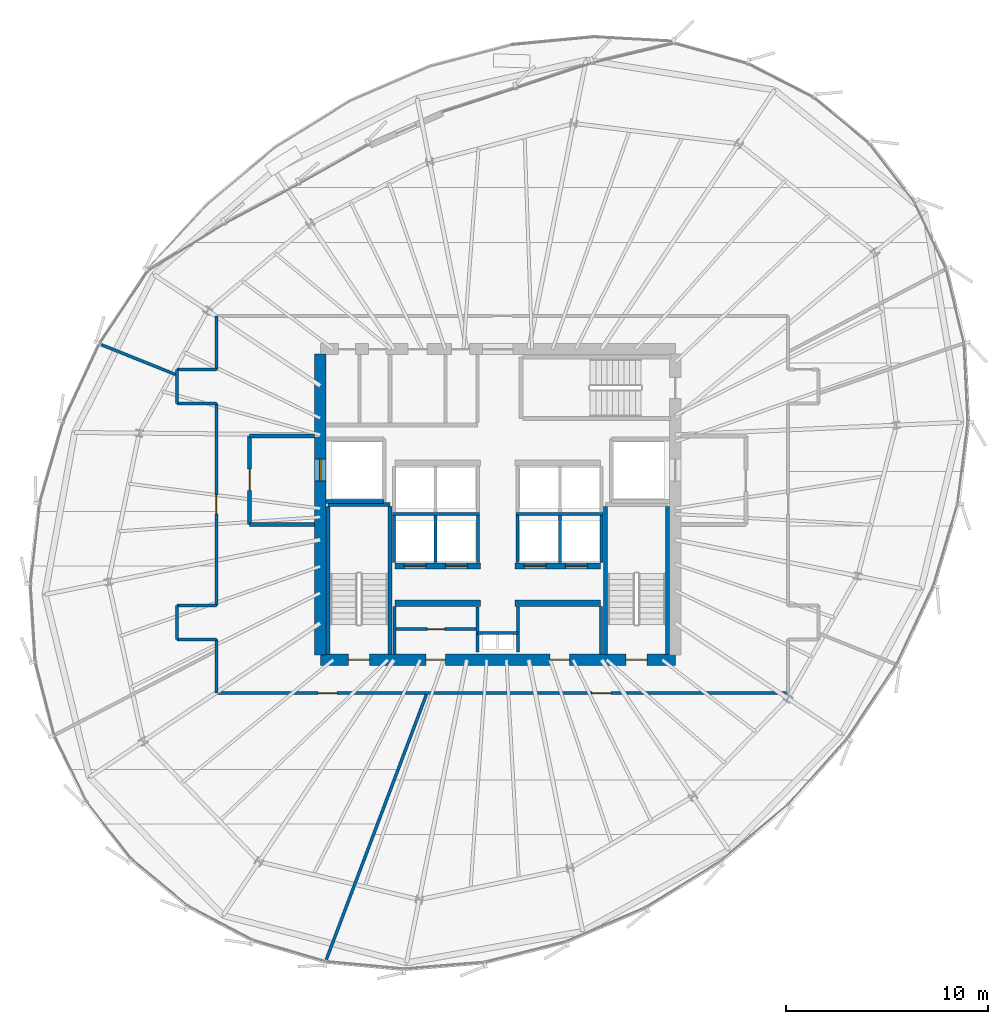
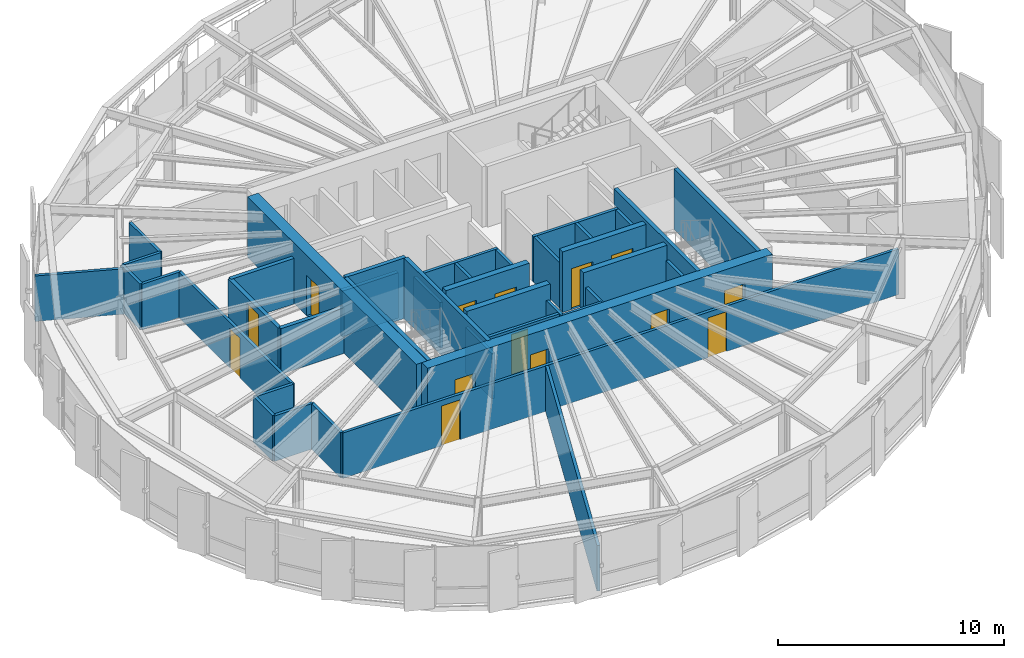
# One storey, part 28 of 33: 41 walls, 14 doors, 14 openings.
"""IFC4 building model written with IfcOpenShell, lengths in metres."""

from ifc_helpers import new_model, si_unit, direction, frame, frame_2d, origin, place, context, subcontext, project, spatial, rectangle, extrude, source, transform, mapped, material, layer, layer_set, type_object, element, fill, save


model = new_model("IFC4")

# Units and contexts
model_context = context("Model", 3, precision=1e-05, world=origin(), true_north=direction((0.0, 1.0)))
body_context = subcontext(model_context, "Body", "Model", "MODEL_VIEW")
ifc_project = project(units=[si_unit("LENGTHUNIT", "METRE"), si_unit("AREAUNIT", "SQUARE_METRE"), si_unit("VOLUMEUNIT", "CUBIC_METRE"), si_unit("PLANEANGLEUNIT", "RADIAN"), si_unit("MASSUNIT", "GRAM", prefix="KILO"), si_unit("THERMODYNAMICTEMPERATUREUNIT", "KELVIN")], contexts=[model_context])

# Site, building, storey
site_placement = place(None, origin())
site = spatial("IfcSite", under=ifc_project, at=site_placement, CompositionType="ELEMENT")
building_placement = place(site_placement, origin())
building = spatial("IfcBuilding", under=site, at=building_placement, Name="Kethvar Cultural Tower", CompositionType="ELEMENT")
storey_placement = place(building_placement, frame((0.0, 0.0, 211.39990234375)))
storey = spatial("IfcBuildingStorey", under=building, at=storey_placement, Name="L55", CompositionType="ELEMENT", Elevation=211.39990234375)

# Wall, openings, doors
ifc_material_1 = material(Name="Concrete C60/75", Category="concrete")
ifc_layer_1 = layer(ifc_material_1, 0.550048828125, Name="Concrete C60/75", Category="concrete")
ifc_layer_set_1 = layer_set([ifc_layer_1], Name="Concrete C60/75 (550 mm)")
wall_type_1 = type_object("IfcWallType", Name="WL-CORE-550", PredefinedType="SHEAR", material=ifc_layer_set_1)
wall_1_placement = place(storey_placement, frame((38.0, 20.10009765625, 0.0), z_axis=(0.0, 0.0, 1.0), x_axis=(1.0, 0.0, 0.0)))
wall_1 = element("IfcWall", 1, at=wall_1_placement, inside=storey, type_object=wall_type_1, Name="L55 Core Shear Wall S", PredefinedType="SHEAR", context=body_context, shape_type="SweptSolid", body=[
    extrude(rectangle(XDim=17.60009765625, YDim=0.550048828125, at=frame_2d((8.800048828125, 0.0))), origin(), (0.0, 0.0, 1.0), 3.260009765625),
])
opening_1_placement = place(wall_1_placement, frame((1.39990234375, 0.0, 0.0)))
opening_1 = element("IfcOpeningElement", 2, at=opening_1_placement, cuts=wall_1, Name="Opening D-L55-S1", PredefinedType="OPENING", context=body_context, shape_type="SweptSolid", body=[
    extrude(rectangle(XDim=1.050048828125, YDim=2.14990234375, at=frame_2d((0.52490234375, 1.074951171875))), frame((0.0, 0.284912109375, 0.0), z_axis=(0.0, -1.0, 0.0), x_axis=(1.0, 0.0, 0.0)), (0.0, 0.0, 1.0), 0.570068359375),
])
opening_2_placement = place(wall_1_placement, frame((15.14990234375, 0.0, 0.0)))
opening_2 = element("IfcOpeningElement", 3, at=opening_2_placement, cuts=wall_1, Name="Opening D-L55-ST2", PredefinedType="OPENING", context=body_context, shape_type="SweptSolid", body=[
    extrude(rectangle(XDim=1.050048828125, YDim=2.14990234375, at=frame_2d((0.52490234375, 1.074951171875))), frame((0.0, 0.284912109375, 0.0), z_axis=(0.0, -1.0, 0.0), x_axis=(1.0, 0.0, 0.0)), (0.0, 0.0, 1.0), 0.570068359375),
])
opening_3_placement = place(wall_1_placement, frame((5.25, 0.0, 0.0)))
opening_3 = element("IfcOpeningElement", 4, at=opening_3_placement, cuts=wall_1, Name="Opening D-L55-V1", PredefinedType="OPENING", context=body_context, shape_type="SweptSolid", body=[
    extrude(rectangle(XDim=0.949951171875, YDim=2.14990234375, at=frame_2d((0.47509765625, 1.074951171875))), frame((0.0, 0.284912109375, 0.0), z_axis=(0.0, -1.0, 0.0), x_axis=(1.0, 0.0, 0.0)), (0.0, 0.0, 1.0), 0.570068359375),
])
opening_4_placement = place(wall_1_placement, frame((11.39990234375, 0.0, 0.0)))
opening_4 = element("IfcOpeningElement", 5, at=opening_4_placement, cuts=wall_1, Name="Opening D-L55-V2", PredefinedType="OPENING", context=body_context, shape_type="SweptSolid", body=[
    extrude(rectangle(XDim=0.949951171875, YDim=2.14990234375, at=frame_2d((0.47509765625, 1.074951171875))), frame((0.0, 0.284912109375, 0.0), z_axis=(0.0, -1.0, 0.0), x_axis=(1.0, 0.0, 0.0)), (0.0, 0.0, 1.0), 0.570068359375),
])
ifc_material_2 = material(Name="Steel S355J2", Category="steel")
door_type_1 = type_object("IfcDoorType", Name="DR-FD60-1050", OperationType="NOTDEFINED", PredefinedType="DOOR", material=ifc_material_2)
shared_shape_1 = source(origin(), body_context, "Body", "SweptSolid", [
    extrude(rectangle(XDim=1.050048828125, YDim=2.14990234375, at=frame_2d((0.52490234375, 1.074951171875))), frame((0.0, 0.02490234375, 0.0), z_axis=(0.0, -1.0, 0.0), x_axis=(1.0, 0.0, 0.0)), (0.0, 0.0, 1.0), 0.050048828125),
])
door_1_placement = place(opening_1_placement, origin())
door_1 = element("IfcDoor", 6, at=door_1_placement, inside=storey, type_object=door_type_1, Name="L55 Exit Stair 1 Door", OperationType="SINGLE_SWING_LEFT", OverallHeight=2.14990234375, OverallWidth=1.050048828125, PredefinedType="DOOR", context=body_context, shape_type="MappedRepresentation", body=[
    mapped(shared_shape_1, transform((0.0, 0.0, 0.0), scale=1.0)),
])
fill(opening_1, door_1)
door_2_placement = place(opening_2_placement, origin())
door_2 = element("IfcDoor", 7, at=door_2_placement, inside=storey, type_object=door_type_1, Name="L55 Exit Stair 2 Door", OperationType="SINGLE_SWING_RIGHT", OverallHeight=2.14990234375, OverallWidth=1.050048828125, PredefinedType="DOOR", context=body_context, shape_type="MappedRepresentation", body=[
    mapped(shared_shape_1, transform((0.0, 0.0, 0.0), scale=1.0)),
])
fill(opening_2, door_2)
ifc_material_3 = material(Name="Architectural Oak Timber", Category="wood")
door_type_2 = type_object("IfcDoorType", Name="DR-FD30-950", OperationType="NOTDEFINED", PredefinedType="DOOR", material=ifc_material_3)
shared_shape_2 = source(origin(), body_context, "Body", "SweptSolid", [
    extrude(rectangle(XDim=0.949951171875, YDim=2.14990234375, at=frame_2d((0.47509765625, 1.074951171875))), frame((0.0, 0.02490234375, 0.0), z_axis=(0.0, -1.0, 0.0), x_axis=(1.0, 0.0, 0.0)), (0.0, 0.0, 1.0), 0.050048828125),
])
door_3_placement = place(opening_3_placement, origin())
door_3 = element("IfcDoor", 8, at=door_3_placement, inside=storey, type_object=door_type_2, Name="L55 Reclaimed West South Door", OperationType="SINGLE_SWING_LEFT", OverallHeight=2.14990234375, OverallWidth=0.949951171875, PredefinedType="DOOR", context=body_context, shape_type="MappedRepresentation", body=[
    mapped(shared_shape_2, transform((0.0, 0.0, 0.0), scale=1.0)),
])
fill(opening_3, door_3)
door_4_placement = place(opening_4_placement, origin())
door_4 = element("IfcDoor", 9, at=door_4_placement, inside=storey, type_object=door_type_2, Name="L55 Reclaimed East Server Door", OperationType="SINGLE_SWING_RIGHT", OverallHeight=2.14990234375, OverallWidth=0.949951171875, PredefinedType="DOOR", context=body_context, shape_type="MappedRepresentation", body=[
    mapped(shared_shape_2, transform((0.0, 0.0, 0.0), scale=1.0)),
])
fill(opening_4, door_4)

# Wall, opening, door
wall_2_placement = place(storey_placement, frame((38.0, 35.260009765625, 0.0), z_axis=(0.0, 0.0, 1.0), x_axis=(0.0, -1.0, 0.0)))
wall_2 = element("IfcWall", 10, at=wall_2_placement, inside=storey, type_object=wall_type_1, Name="L55 Core Shear Wall W", PredefinedType="SHEAR", context=body_context, shape_type="SweptSolid", body=[
    extrude(rectangle(XDim=14.919921875, YDim=0.550048828125, at=frame_2d((7.4599609375, 0.0))), origin(), (0.0, 0.0, 1.0), 3.260009765625),
])
opening_5_placement = place(wall_2_placement, frame((5.2099609375, 0.0, 0.0)))
opening_5 = element("IfcOpeningElement", 11, at=opening_5_placement, cuts=wall_2, Name="Opening LD-1", PredefinedType="OPENING", context=body_context, shape_type="SweptSolid", body=[
    extrude(rectangle(XDim=1.10009765625, YDim=2.199951171875, at=frame_2d((0.550048828125, 1.10009765625))), frame((0.0, 0.284912109375, 0.0), z_axis=(0.0, -1.0, 0.0), x_axis=(1.0, 0.0, 0.0)), (0.0, 0.0, 1.0), 0.570068359375),
])
door_type_3 = type_object("IfcDoorType", Name="DR-LIFT-SLIDE-1100", OperationType="NOTDEFINED", PredefinedType="DOOR", material=ifc_material_2)
shared_shape_3 = source(origin(), body_context, "Body", "SweptSolid", [
    extrude(rectangle(XDim=1.10009765625, YDim=2.199951171875, at=frame_2d((0.550048828125, 1.10009765625))), frame((0.0, 0.02490234375, 0.0), z_axis=(0.0, -1.0, 0.0), x_axis=(1.0, 0.0, 0.0)), (0.0, 0.0, 1.0), 0.050048828125),
])
door_5_placement = place(opening_5_placement, origin())
door_5 = element("IfcDoor", 12, at=door_5_placement, inside=storey, type_object=door_type_3, Name="L55 Firefighting Lift Landing Door FFL-01", OperationType="SLIDING_TO_LEFT", OverallHeight=2.199951171875, OverallWidth=1.10009765625, PredefinedType="DOOR", context=body_context, shape_type="MappedRepresentation", body=[
    mapped(shared_shape_3, transform((0.0, 0.0, 0.0), scale=1.0)),
])
fill(opening_5, door_5)

# Walls
ifc_material_4 = material(Name="Gypsum Fireboard Partition")
ifc_layer_2 = layer(ifc_material_4, 0.14990234375, Name="Gypsum Fireboard Partition")
ifc_layer_set_2 = layer_set([ifc_layer_2], Name="Gypsum Fireboard Partition (150 mm)")
wall_type_2 = type_object("IfcWallType", Name="WL-FIRE-150", PredefinedType="PARTITIONING", material=ifc_layer_set_2)
wall_3_placement = place(storey_placement, frame((45.800048828125, 21.419921875, 0.0), z_axis=(0.0, 0.0, 1.0), x_axis=(1.0, 0.0, 0.0)))
element("IfcWall", 13, at=wall_3_placement, inside=storey, type_object=wall_type_2, Name="L55 Core Riser Wall", PredefinedType="PARTITIONING", context=body_context, shape_type="SweptSolid", body=[
    extrude(rectangle(XDim=2.0, YDim=0.14990234375, at=frame_2d((1.0, 0.0))), origin(), (0.0, 0.0, 1.0), 2.455078125),
])
for number, where, z_axis, x_axis, name in (
    (14, (45.800048828125, 20.47998046875, 0.0), (0.0, 0.0, 1.0), (0.0, 1.0, 0.0), "L55 Core Riser West Wall"),
    (15, (47.800048828125, 20.47998046875, 0.0), (0.0, 0.0, 1.0), (0.0, 1.0, 0.0), "L55 Core Riser East Wall"),
):
    element("IfcWall", number, at=place(storey_placement, frame(where, z_axis=z_axis, x_axis=x_axis)), inside=storey, type_object=wall_type_2, Name=name, PredefinedType="PARTITIONING", context=body_context, shape_type="SweptSolid", body=[
        extrude(rectangle(XDim=2.239990234375, YDim=0.14990234375, at=frame_2d((1.1201171875, 0.0))), origin(), (0.0, 0.0, 1.0), 2.455078125),
    ])
for number, where, z_axis, x_axis, name in (
    (16, (41.679931640625, 20.385009765625, 0.0), (0.0, 0.0, 1.0), (0.0, 1.0, 0.0), "L55 Reclaimed West Outer Wall"),
    (17, (51.919921875, 20.385009765625, 0.0), (0.0, 0.0, 1.0), (0.0, 1.0, 0.0), "L55 Reclaimed East Outer Wall"),
):
    element("IfcWall", number, at=place(storey_placement, frame(where, z_axis=z_axis, x_axis=x_axis)), inside=storey, type_object=wall_type_2, Name=name, PredefinedType="PARTITIONING", context=body_context, shape_type="SweptSolid", body=[
        extrude(rectangle(XDim=2.344970703125, YDim=0.14990234375, at=frame_2d((1.17236328125, 0.0))), origin(), (0.0, 0.0, 1.0), 2.455078125),
    ])

# Wall, opening, door
wall_4_placement = place(storey_placement, frame((41.760009765625, 21.6201171875, 0.0), z_axis=(0.0, 0.0, 1.0), x_axis=(1.0, 0.0, 0.0)))
wall_4 = element("IfcWall", 18, at=wall_4_placement, inside=storey, type_object=wall_type_2, Name="L55 Vault Gallery Wall W", PredefinedType="PARTITIONING", context=body_context, shape_type="SweptSolid", body=[
    extrude(rectangle(XDim=3.9599609375, YDim=0.14990234375, at=frame_2d((1.97998046875, 0.0))), origin(), (0.0, 0.0, 1.0), 2.455078125),
])
opening_6_placement = place(wall_4_placement, frame((1.550048828125, 0.0, 0.0)))
opening_6 = element("IfcOpeningElement", 19, at=opening_6_placement, cuts=wall_4, Name="Opening D-L55-V3", PredefinedType="OPENING", context=body_context, shape_type="SweptSolid", body=[
    extrude(rectangle(XDim=0.85009765625, YDim=2.14990234375, at=frame_2d((0.425048828125, 1.074951171875))), frame((0.0, 0.0849609375, 0.0), z_axis=(0.0, -1.0, 0.0), x_axis=(1.0, 0.0, 0.0)), (0.0, 0.0, 1.0), 0.169921875),
])
door_type_4 = type_object("IfcDoorType", Name="DR-FD30-850", OperationType="NOTDEFINED", PredefinedType="DOOR", material=ifc_material_2)
shared_shape_4 = source(origin(), body_context, "Body", "SweptSolid", [
    extrude(rectangle(XDim=0.85009765625, YDim=2.14990234375, at=frame_2d((0.425048828125, 1.074951171875))), frame((0.0, 0.02490234375, 0.0), z_axis=(0.0, -1.0, 0.0), x_axis=(1.0, 0.0, 0.0)), (0.0, 0.0, 1.0), 0.050048828125),
])
door_6_placement = place(opening_6_placement, origin())
door_6 = element("IfcDoor", 20, at=door_6_placement, inside=storey, type_object=door_type_4, Name="L55 Inner Vault Gallery Door", OperationType="SINGLE_SWING_LEFT", OverallHeight=2.14990234375, OverallWidth=0.85009765625, PredefinedType="DOOR", context=body_context, shape_type="MappedRepresentation", body=[
    mapped(shared_shape_4, transform((0.0, 0.0, 0.0), scale=1.0)),
])
fill(opening_6, door_6)

# Walls
wall_5_placement = place(storey_placement, frame((41.580078125, 27.324951171875, 0.0), z_axis=(0.0, 0.0, 1.0), x_axis=(1.0, 0.0, 0.0)))
element("IfcWall", 21, at=wall_5_placement, inside=storey, type_object=wall_type_2, Name="L55 Mid-High Lift Shaft Back Wall W", PredefinedType="PARTITIONING", context=body_context, shape_type="SweptSolid", body=[
    extrude(rectangle(XDim=4.31982421875, YDim=0.14990234375, at=frame_2d((2.159912109375, 0.0))), origin(), (0.0, 0.0, 1.0), 2.455078125),
])
wall_6_placement = place(storey_placement, frame((47.699951171875, 27.324951171875, 0.0), z_axis=(0.0, 0.0, 1.0), x_axis=(1.0, 0.0, 0.0)))
element("IfcWall", 22, at=wall_6_placement, inside=storey, type_object=wall_type_2, Name="L55 Mid-High Lift Shaft Back Wall E", PredefinedType="PARTITIONING", context=body_context, shape_type="SweptSolid", body=[
    extrude(rectangle(XDim=4.320068359375, YDim=0.14990234375, at=frame_2d((2.16015625, 0.0))), origin(), (0.0, 0.0, 1.0), 2.455078125),
])
for number, where, z_axis, x_axis, name in (
    (23, (41.64990234375, 24.919921875, 0.0), (0.0, 0.0, 1.0), (0.0, 1.0, 0.0), "L55 Mid-Rise Lift Shaft Outer Wall W"),
    (24, (43.72509765625, 24.919921875, 0.0), (0.0, 0.0, 1.0), (0.0, 1.0, 0.0), "L55 Mid-Rise Lift Shaft Divider W"),
    (25, (45.824951171875, 24.919921875, 0.0), (0.0, 0.0, 1.0), (0.0, 1.0, 0.0), "L55 Mid-Rise Lift Shaft Concourse Wall W"),
    (26, (47.77490234375, 24.919921875, 0.0), (0.0, 0.0, 1.0), (0.0, 1.0, 0.0), "L55 Mid-Rise Lift Shaft Concourse Wall E"),
    (27, (49.875, 24.919921875, 0.0), (0.0, 0.0, 1.0), (0.0, 1.0, 0.0), "L55 Mid-Rise Lift Shaft Divider E"),
    (28, (51.949951171875, 24.919921875, 0.0), (0.0, 0.0, 1.0), (0.0, 1.0, 0.0), "L55 Mid-Rise Lift Shaft Outer Wall E"),
):
    element("IfcWall", number, at=place(storey_placement, frame(where, z_axis=z_axis, x_axis=x_axis)), inside=storey, type_object=wall_type_2, Name=name, PredefinedType="PARTITIONING", context=body_context, shape_type="SweptSolid", body=[
        extrude(rectangle(XDim=2.320068359375, YDim=0.14990234375, at=frame_2d((1.16015625, 0.0))), origin(), (0.0, 0.0, 1.0), 2.455078125),
    ])

# Wall, openings, doors
wall_7_placement = place(storey_placement, frame((32.85009765625, 18.449951171875, 0.0), z_axis=(0.0, 0.0, 1.0), x_axis=(1.0, 0.0, 0.0)))
wall_7 = element("IfcWall", 29, at=wall_7_placement, inside=storey, type_object=wall_type_2, Name="L55 Corridor Rated Wall S", PredefinedType="PARTITIONING", context=body_context, shape_type="SweptSolid", body=[
    extrude(rectangle(XDim=28.349853515625, YDim=0.14990234375, at=frame_2d((14.1748046875, 0.0))), origin(), (0.0, 0.0, 1.0), 2.455078125),
])
opening_7_placement = place(wall_7_placement, frame((5.035400390625, 0.0, 0.0)))
opening_7 = element("IfcOpeningElement", 30, at=opening_7_placement, cuts=wall_7, Name="Opening D-L55-01", PredefinedType="OPENING", context=body_context, shape_type="SweptSolid", body=[
    extrude(rectangle(XDim=0.949951171875, YDim=2.14990234375, at=frame_2d((0.47509765625, 1.074951171875))), frame((0.0, 0.0849609375, 0.0), z_axis=(0.0, -1.0, 0.0), x_axis=(1.0, 0.0, 0.0)), (0.0, 0.0, 1.0), 0.169921875),
])
opening_8_placement = place(wall_7_placement, frame((18.620849609375, 0.0, 0.0)))
opening_8 = element("IfcOpeningElement", 31, at=opening_8_placement, cuts=wall_7, Name="Opening D-L55-02", PredefinedType="OPENING", context=body_context, shape_type="SweptSolid", body=[
    extrude(rectangle(XDim=0.949951171875, YDim=2.14990234375, at=frame_2d((0.47509765625, 1.074951171875))), frame((0.0, 0.0849609375, 0.0), z_axis=(0.0, -1.0, 0.0), x_axis=(1.0, 0.0, 0.0)), (0.0, 0.0, 1.0), 0.169921875),
])
door_7_placement = place(opening_7_placement, origin())
door_7 = element("IfcDoor", 32, at=door_7_placement, inside=storey, type_object=door_type_2, Name="L55 Archival Facsimile Shop 01 Door", OperationType="SINGLE_SWING_RIGHT", OverallHeight=2.14990234375, OverallWidth=0.949951171875, PredefinedType="DOOR", context=body_context, shape_type="MappedRepresentation", body=[
    mapped(shared_shape_2, transform((0.0, 0.0, 0.0), scale=1.0)),
])
fill(opening_7, door_7)
door_8_placement = place(opening_8_placement, origin())
door_8 = element("IfcDoor", 33, at=door_8_placement, inside=storey, type_object=door_type_2, Name="L55 Cultural Periodicals Kiosk 02 Door", OperationType="SINGLE_SWING_LEFT", OverallHeight=2.14990234375, OverallWidth=0.949951171875, PredefinedType="DOOR", context=body_context, shape_type="MappedRepresentation", body=[
    mapped(shared_shape_2, transform((0.0, 0.0, 0.0), scale=1.0)),
])
fill(opening_8, door_8)

# Walls
wall_8_placement = place(storey_placement, frame((32.85009765625, 37.14990234375, 0.0), z_axis=(0.0, 0.0, 1.0), x_axis=(0.0, -1.0, 0.0)))
element("IfcWall", 34, at=wall_8_placement, inside=storey, type_object=wall_type_2, Name="L55 Corridor Rated Wall W2", PredefinedType="PARTITIONING", context=body_context, shape_type="SweptSolid", body=[
    extrude(rectangle(XDim=2.64990234375, YDim=0.14990234375, at=frame_2d((1.324951171875, 0.0))), origin(), (0.0, 0.0, 1.0), 2.455078125),
])
wall_9_placement = place(storey_placement, frame((32.85009765625, 34.5, 0.0), z_axis=(0.0, 0.0, 1.0), x_axis=(-1.0, 0.0, 0.0)))
element("IfcWall", 35, at=wall_9_placement, inside=storey, type_object=wall_type_2, Name="L55 Corridor Rated Wall WNT", PredefinedType="PARTITIONING", context=body_context, shape_type="SweptSolid", body=[
    extrude(rectangle(XDim=1.9501953125, YDim=0.14990234375, at=frame_2d((0.97509765625, 0.0))), origin(), (0.0, 0.0, 1.0), 2.455078125),
])
wall_10_placement = place(storey_placement, frame((30.89990234375, 34.5, 0.0), z_axis=(0.0, 0.0, 1.0), x_axis=(0.0, -1.0, 0.0)))
element("IfcWall", 36, at=wall_10_placement, inside=storey, type_object=wall_type_2, Name="L55 Corridor Rated Wall WN", PredefinedType="PARTITIONING", context=body_context, shape_type="SweptSolid", body=[
    extrude(rectangle(XDim=1.699951171875, YDim=0.14990234375, at=frame_2d((0.85009765625, 0.0))), origin(), (0.0, 0.0, 1.0), 2.455078125),
])
wall_11_placement = place(storey_placement, frame((30.89990234375, 32.800048828125, 0.0), z_axis=(0.0, 0.0, 1.0), x_axis=(1.0, 0.0, 0.0)))
element("IfcWall", 37, at=wall_11_placement, inside=storey, type_object=wall_type_2, Name="L55 Corridor Rated Wall WNB", PredefinedType="PARTITIONING", context=body_context, shape_type="SweptSolid", body=[
    extrude(rectangle(XDim=1.9501953125, YDim=0.14990234375, at=frame_2d((0.97509765625, 0.0))), origin(), (0.0, 0.0, 1.0), 2.455078125),
])

# Wall, opening, door
wall_12_placement = place(storey_placement, frame((32.85009765625, 32.800048828125, 0.0), z_axis=(0.0, 0.0, 1.0), x_axis=(0.0, -1.0, 0.0)))
wall_12 = element("IfcWall", 38, at=wall_12_placement, inside=storey, type_object=wall_type_2, Name="L55 Corridor Rated Wall WM", PredefinedType="PARTITIONING", context=body_context, shape_type="SweptSolid", body=[
    extrude(rectangle(XDim=10.0, YDim=0.14990234375, at=frame_2d((5.0, 0.0))), origin(), (0.0, 0.0, 1.0), 2.455078125),
])
opening_9_placement = place(wall_12_placement, frame((4.52490234375, 0.0, 0.0)))
opening_9 = element("IfcOpeningElement", 39, at=opening_9_placement, cuts=wall_12, Name="Opening D-L55-06", PredefinedType="OPENING", context=body_context, shape_type="SweptSolid", body=[
    extrude(rectangle(XDim=0.949951171875, YDim=2.14990234375, at=frame_2d((0.47509765625, 1.074951171875))), frame((0.0, 0.0849609375, 0.0), z_axis=(0.0, -1.0, 0.0), x_axis=(1.0, 0.0, 0.0)), (0.0, 0.0, 1.0), 0.169921875),
])
door_9_placement = place(opening_9_placement, origin())
door_9 = element("IfcDoor", 40, at=door_9_placement, inside=storey, type_object=door_type_2, Name="L55 Records Closet 06 Door", OperationType="SINGLE_SWING_LEFT", OverallHeight=2.14990234375, OverallWidth=0.949951171875, PredefinedType="DOOR", context=body_context, shape_type="MappedRepresentation", body=[
    mapped(shared_shape_2, transform((0.0, 0.0, 0.0), scale=1.0)),
])
fill(opening_9, door_9)

# Walls
wall_13_placement = place(storey_placement, frame((32.85009765625, 22.800048828125, 0.0), z_axis=(0.0, 0.0, 1.0), x_axis=(-1.0, 0.0, 0.0)))
element("IfcWall", 41, at=wall_13_placement, inside=storey, type_object=wall_type_2, Name="L55 Corridor Rated Wall WST", PredefinedType="PARTITIONING", context=body_context, shape_type="SweptSolid", body=[
    extrude(rectangle(XDim=1.9501953125, YDim=0.14990234375, at=frame_2d((0.97509765625, 0.0))), origin(), (0.0, 0.0, 1.0), 2.455078125),
])
wall_14_placement = place(storey_placement, frame((30.89990234375, 22.800048828125, 0.0), z_axis=(0.0, 0.0, 1.0), x_axis=(0.0, -1.0, 0.0)))
element("IfcWall", 42, at=wall_14_placement, inside=storey, type_object=wall_type_2, Name="L55 Corridor Rated Wall WS", PredefinedType="PARTITIONING", context=body_context, shape_type="SweptSolid", body=[
    extrude(rectangle(XDim=1.699951171875, YDim=0.14990234375, at=frame_2d((0.85009765625, 0.0))), origin(), (0.0, 0.0, 1.0), 2.455078125),
])
wall_15_placement = place(storey_placement, frame((30.89990234375, 21.10009765625, 0.0), z_axis=(0.0, 0.0, 1.0), x_axis=(1.0, 0.0, 0.0)))
element("IfcWall", 43, at=wall_15_placement, inside=storey, type_object=wall_type_2, Name="L55 Corridor Rated Wall WSB", PredefinedType="PARTITIONING", context=body_context, shape_type="SweptSolid", body=[
    extrude(rectangle(XDim=1.9501953125, YDim=0.14990234375, at=frame_2d((0.97509765625, 0.0))), origin(), (0.0, 0.0, 1.0), 2.455078125),
])
wall_16_placement = place(storey_placement, frame((32.85009765625, 21.10009765625, 0.0), z_axis=(0.0, 0.0, 1.0), x_axis=(0.0, -1.0, 0.0)))
element("IfcWall", 44, at=wall_16_placement, inside=storey, type_object=wall_type_2, Name="L55 Corridor Rated Wall W1", PredefinedType="PARTITIONING", context=body_context, shape_type="SweptSolid", body=[
    extrude(rectangle(XDim=2.650146484375, YDim=0.14990234375, at=frame_2d((1.3251953125, 0.0))), origin(), (0.0, 0.0, 1.0), 2.455078125),
])
ifc_material_5 = material(Name="Concrete C40/50", Category="concrete")
ifc_layer_3 = layer(ifc_material_5, 0.199951171875, Name="Concrete C40/50", Category="concrete")
ifc_layer_set_3 = layer_set([ifc_layer_3], Name="Concrete C40/50 (200 mm)")
wall_type_3 = type_object("IfcWallType", Name="WL-FIRE-200", PredefinedType="PARTITIONING", material=ifc_layer_set_3)
wall_17_placement = place(storey_placement, frame((38.284912109375, 27.949951171875, 0.0), z_axis=(0.0, 0.0, 1.0), x_axis=(1.0, 0.0, 0.0)))
element("IfcWall", 45, at=wall_17_placement, inside=storey, type_object=wall_type_3, Name="L55 FFL-01 Shaft South Wall", PredefinedType="PARTITIONING", context=body_context, shape_type="SweptSolid", body=[
    extrude(rectangle(XDim=2.864990234375, YDim=0.199951171875, at=frame_2d((1.4326171875, 0.0))), origin(), (0.0, 0.0, 1.0), 2.455078125),
])

# Wall, opening, door
wall_18_placement = place(storey_placement, frame((34.5, 31.199951171875, 0.0), z_axis=(0.0, 0.0, 1.0), x_axis=(0.0, -1.0, 0.0)))
wall_18 = element("IfcWall", 46, at=wall_18_placement, inside=storey, type_object=wall_type_3, Name="L55 Firefighting Lobby 1 Wall", PredefinedType="PARTITIONING", context=body_context, shape_type="SweptSolid", body=[
    extrude(rectangle(XDim=4.39990234375, YDim=0.199951171875, at=frame_2d((2.199951171875, 0.0))), origin(), (0.0, 0.0, 1.0), 2.455078125),
])
opening_10_placement = place(wall_18_placement, frame((1.64990234375, 0.0, 0.0)))
opening_10 = element("IfcOpeningElement", 47, at=opening_10_placement, cuts=wall_18, Name="Opening D-L55-F1", PredefinedType="OPENING", context=body_context, shape_type="SweptSolid", body=[
    extrude(rectangle(XDim=1.050048828125, YDim=2.14990234375, at=frame_2d((0.52490234375, 1.074951171875))), frame((0.0, 0.10986328125, 0.0), z_axis=(0.0, -1.0, 0.0), x_axis=(1.0, 0.0, 0.0)), (0.0, 0.0, 1.0), 0.219970703125),
])
door_10_placement = place(opening_10_placement, origin())
door_10 = element("IfcDoor", 48, at=door_10_placement, inside=storey, type_object=door_type_1, Name="L55 Firefighting Lobby 1 Fire Door", OperationType="SINGLE_SWING_LEFT", OverallHeight=2.14990234375, OverallWidth=1.050048828125, PredefinedType="DOOR", context=body_context, shape_type="MappedRepresentation", body=[
    mapped(shared_shape_1, transform((0.0, 0.0, 0.0), scale=1.0)),
])
fill(opening_10, door_10)

# Walls
for number, where, z_axis, x_axis, name in (
    (49, (34.5, 26.800048828125, 0.0), (0.0, 0.0, 1.0), (1.0, 0.0, 0.0), "L55 FF Lobby 1 South Wall"),
    (50, (34.5, 31.199951171875, 0.0), (0.0, 0.0, 1.0), (1.0, 0.0, 0.0), "L55 FF Lobby 1 North Wall"),
):
    element("IfcWall", number, at=place(storey_placement, frame(where, z_axis=z_axis, x_axis=x_axis)), inside=storey, type_object=wall_type_3, Name=name, PredefinedType="PARTITIONING", context=body_context, shape_type="SweptSolid", body=[
        extrude(rectangle(XDim=3.215087890625, YDim=0.199951171875, at=frame_2d((1.607421875, 0.0))), origin(), (0.0, 0.0, 1.0), 2.455078125),
    ])
ifc_material_6 = material(Name="Gypsum Acoustic Partition")
ifc_layer_4 = layer(ifc_material_6, 0.14990234375, Name="Gypsum Acoustic Partition")
ifc_layer_set_4 = layer_set([ifc_layer_4], Name="Gypsum Acoustic Partition (150 mm)")
wall_type_4 = type_object("IfcWallType", Name="WL-PART-150", PredefinedType="PARTITIONING", material=ifc_layer_set_4)
wall_19_placement = place(storey_placement, frame((43.262451171875, 18.375244140625, 0.0), z_axis=(0.0, 0.0, 1.0), x_axis=(-0.353263978955, -0.93552368285, 0.0)))
element("IfcWall", 51, at=wall_19_placement, inside=storey, type_object=wall_type_4, Name="L55 Radial Partition Wall 02", PredefinedType="PARTITIONING", context=body_context, shape_type="SweptSolid", body=[
    extrude(rectangle(XDim=14.043212890625, YDim=0.14990234375, at=frame_2d((7.021484375, 0.0))), origin(), (0.0, 0.0, 1.0), 2.455078125),
])
wall_20_placement = place(storey_placement, frame((30.82568359375, 34.24072265625, 0.0), z_axis=(0.0, 0.0, 1.0), x_axis=(-0.927965194186, 0.372666873197, 0.0)))
element("IfcWall", 52, at=wall_20_placement, inside=storey, type_object=wall_type_4, Name="L55 Radial Partition Wall 06", PredefinedType="PARTITIONING", context=body_context, shape_type="SweptSolid", body=[
    extrude(rectangle(XDim=3.95703125, YDim=0.14990234375, at=frame_2d((1.978515625, 0.0))), origin(), (0.0, 0.0, 1.0), 2.455078125),
])
ifc_material_7 = material(Name="Concrete C50/60", Category="concrete")
ifc_layer_5 = layer(ifc_material_7, 0.300048828125, Name="Concrete C50/60", Category="concrete")
ifc_layer_set_5 = layer_set([ifc_layer_5], Name="Concrete C50/60 (300 mm)")
wall_type_5 = type_object("IfcWallType", Name="WL-SHAFT-300", PredefinedType="SHEAR", material=ifc_layer_set_5)
for number, where, z_axis, x_axis, name in (
    (53, (41.699951171875, 22.89990234375, 0.0), (0.0, 0.0, 1.0), (1.0, 0.0, 0.0), "L55 Core Lift Spine Wall MID1W"),
    (54, (47.64990234375, 22.89990234375, 0.0), (0.0, 0.0, 1.0), (1.0, 0.0, 0.0), "L55 Core Lift Spine Wall MID1E"),
):
    element("IfcWall", number, at=place(storey_placement, frame(where, z_axis=z_axis, x_axis=x_axis)), inside=storey, type_object=wall_type_5, Name=name, PredefinedType="SHEAR", context=body_context, shape_type="SweptSolid", body=[
        extrude(rectangle(XDim=4.25, YDim=0.300048828125, at=frame_2d((2.125, 0.0))), origin(), (0.0, 0.0, 1.0), 3.260009765625),
    ])

# Wall, openings, doors
wall_21_placement = place(storey_placement, frame((41.699951171875, 24.75, 0.0), z_axis=(0.0, 0.0, 1.0), x_axis=(1.0, 0.0, 0.0)))
wall_21 = element("IfcWall", 55, at=wall_21_placement, inside=storey, type_object=wall_type_5, Name="L55 Core Lift Spine Wall MID2W", PredefinedType="SHEAR", context=body_context, shape_type="SweptSolid", body=[
    extrude(rectangle(XDim=4.25, YDim=0.300048828125, at=frame_2d((2.125, 0.0))), origin(), (0.0, 0.0, 1.0), 3.260009765625),
])
opening_11_placement = place(wall_21_placement, frame((0.449951171875, 0.0, 0.0)))
opening_11 = element("IfcOpeningElement", 56, at=opening_11_placement, cuts=wall_21, Name="Opening LD-M1", PredefinedType="OPENING", context=body_context, shape_type="SweptSolid", body=[
    extrude(rectangle(XDim=1.10009765625, YDim=2.199951171875, at=frame_2d((0.550048828125, 1.10009765625))), frame((0.0, 0.159912109375, 0.0), z_axis=(0.0, -1.0, 0.0), x_axis=(1.0, 0.0, 0.0)), (0.0, 0.0, 1.0), 0.320068359375),
])
opening_12_placement = place(wall_21_placement, frame((2.5, 0.0, 0.0)))
opening_12 = element("IfcOpeningElement", 57, at=opening_12_placement, cuts=wall_21, Name="Opening LD-M2", PredefinedType="OPENING", context=body_context, shape_type="SweptSolid", body=[
    extrude(rectangle(XDim=1.10009765625, YDim=2.199951171875, at=frame_2d((0.550048828125, 1.10009765625))), frame((0.0, 0.159912109375, 0.0), z_axis=(0.0, -1.0, 0.0), x_axis=(1.0, 0.0, 0.0)), (0.0, 0.0, 1.0), 0.320068359375),
])
door_11_placement = place(opening_11_placement, origin())
door_11 = element("IfcDoor", 58, at=door_11_placement, inside=storey, type_object=door_type_3, Name="L55 Mid-Rise Lift Landing Door M1", OperationType="SLIDING_TO_RIGHT", OverallHeight=2.199951171875, OverallWidth=1.10009765625, PredefinedType="DOOR", context=body_context, shape_type="MappedRepresentation", body=[
    mapped(shared_shape_3, transform((0.0, 0.0, 0.0), scale=1.0)),
])
fill(opening_11, door_11)
door_12_placement = place(opening_12_placement, origin())
door_12 = element("IfcDoor", 59, at=door_12_placement, inside=storey, type_object=door_type_3, Name="L55 Mid-Rise Lift Landing Door M2", OperationType="SLIDING_TO_RIGHT", OverallHeight=2.199951171875, OverallWidth=1.10009765625, PredefinedType="DOOR", context=body_context, shape_type="MappedRepresentation", body=[
    mapped(shared_shape_3, transform((0.0, 0.0, 0.0), scale=1.0)),
])
fill(opening_12, door_12)

wall_22_placement = place(storey_placement, frame((47.64990234375, 24.75, 0.0), z_axis=(0.0, 0.0, 1.0), x_axis=(1.0, 0.0, 0.0)))
wall_22 = element("IfcWall", 60, at=wall_22_placement, inside=storey, type_object=wall_type_5, Name="L55 Core Lift Spine Wall MID2E", PredefinedType="SHEAR", context=body_context, shape_type="SweptSolid", body=[
    extrude(rectangle(XDim=4.25, YDim=0.300048828125, at=frame_2d((2.125, 0.0))), origin(), (0.0, 0.0, 1.0), 3.260009765625),
])
opening_13_placement = place(wall_22_placement, frame((0.449951171875, 0.0, 0.0)))
opening_13 = element("IfcOpeningElement", 61, at=opening_13_placement, cuts=wall_22, Name="Opening LD-M3", PredefinedType="OPENING", context=body_context, shape_type="SweptSolid", body=[
    extrude(rectangle(XDim=1.10009765625, YDim=2.199951171875, at=frame_2d((0.550048828125, 1.10009765625))), frame((0.0, 0.159912109375, 0.0), z_axis=(0.0, -1.0, 0.0), x_axis=(1.0, 0.0, 0.0)), (0.0, 0.0, 1.0), 0.320068359375),
])
opening_14_placement = place(wall_22_placement, frame((2.5, 0.0, 0.0)))
opening_14 = element("IfcOpeningElement", 62, at=opening_14_placement, cuts=wall_22, Name="Opening LD-M4", PredefinedType="OPENING", context=body_context, shape_type="SweptSolid", body=[
    extrude(rectangle(XDim=1.10009765625, YDim=2.199951171875, at=frame_2d((0.550048828125, 1.10009765625))), frame((0.0, 0.159912109375, 0.0), z_axis=(0.0, -1.0, 0.0), x_axis=(1.0, 0.0, 0.0)), (0.0, 0.0, 1.0), 0.320068359375),
])
door_13_placement = place(opening_13_placement, origin())
door_13 = element("IfcDoor", 63, at=door_13_placement, inside=storey, type_object=door_type_3, Name="L55 Mid-Rise Lift Landing Door M3", OperationType="SLIDING_TO_RIGHT", OverallHeight=2.199951171875, OverallWidth=1.10009765625, PredefinedType="DOOR", context=body_context, shape_type="MappedRepresentation", body=[
    mapped(shared_shape_3, transform((0.0, 0.0, 0.0), scale=1.0)),
])
fill(opening_13, door_13)
door_14_placement = place(opening_14_placement, origin())
door_14 = element("IfcDoor", 64, at=door_14_placement, inside=storey, type_object=door_type_3, Name="L55 Mid-Rise Lift Landing Door M4", OperationType="SLIDING_TO_RIGHT", OverallHeight=2.199951171875, OverallWidth=1.10009765625, PredefinedType="DOOR", context=body_context, shape_type="MappedRepresentation", body=[
    mapped(shared_shape_3, transform((0.0, 0.0, 0.0), scale=1.0)),
])
fill(opening_14, door_14)

# Walls
ifc_layer_6 = layer(ifc_material_7, 0.199951171875, Name="Concrete C50/60", Category="concrete")
ifc_layer_set_6 = layer_set([ifc_layer_6], Name="Concrete C50/60 (200 mm)")
wall_type_6 = type_object("IfcWallType", Name="WL-STSHAFT-200", PredefinedType="SHEAR", material=ifc_layer_set_6)
wall_23_placement = place(storey_placement, frame((38.389892578125, 27.800048828125, 0.0), z_axis=(0.0, 0.0, 1.0), x_axis=(1.0, 0.0, 0.0)))
element("IfcWall", 65, at=wall_23_placement, inside=storey, type_object=wall_type_6, Name="L55 ST-01 Stair Shaft Wall FAR", PredefinedType="SHEAR", context=body_context, shape_type="SweptSolid", body=[
    extrude(rectangle(XDim=3.06005859375, YDim=0.199951171875, at=frame_2d((1.530029296875, 0.0))), origin(), (0.0, 0.0, 1.0), 3.260009765625),
])
for number, where, z_axis, x_axis, name in (
    (66, (41.449951171875, 27.699951171875, 0.0), (0.0, 0.0, 1.0), (0.0, -1.0, 0.0), "L55 ST-01 Stair Shaft Wall LEFT"),
    (67, (38.389892578125, 20.35009765625, 0.0), (0.0, 0.0, 1.0), (0.0, 1.0, 0.0), "L55 ST-01 Stair Shaft Wall RIGHT"),
    (68, (55.2099609375, 27.699951171875, 0.0), (0.0, 0.0, 1.0), (0.0, -1.0, 0.0), "L55 ST-02 Stair Shaft Wall LEFT"),
    (69, (52.14990234375, 20.35009765625, 0.0), (0.0, 0.0, 1.0), (0.0, 1.0, 0.0), "L55 ST-02 Stair Shaft Wall RIGHT"),
):
    element("IfcWall", number, at=place(storey_placement, frame(where, z_axis=z_axis, x_axis=x_axis)), inside=storey, type_object=wall_type_6, Name=name, PredefinedType="SHEAR", context=body_context, shape_type="SweptSolid", body=[
        extrude(rectangle(XDim=7.349853515625, YDim=0.199951171875, at=frame_2d((3.6748046875, 0.0))), origin(), (0.0, 0.0, 1.0), 3.260009765625),
    ])

save(model, "model.ifc")
